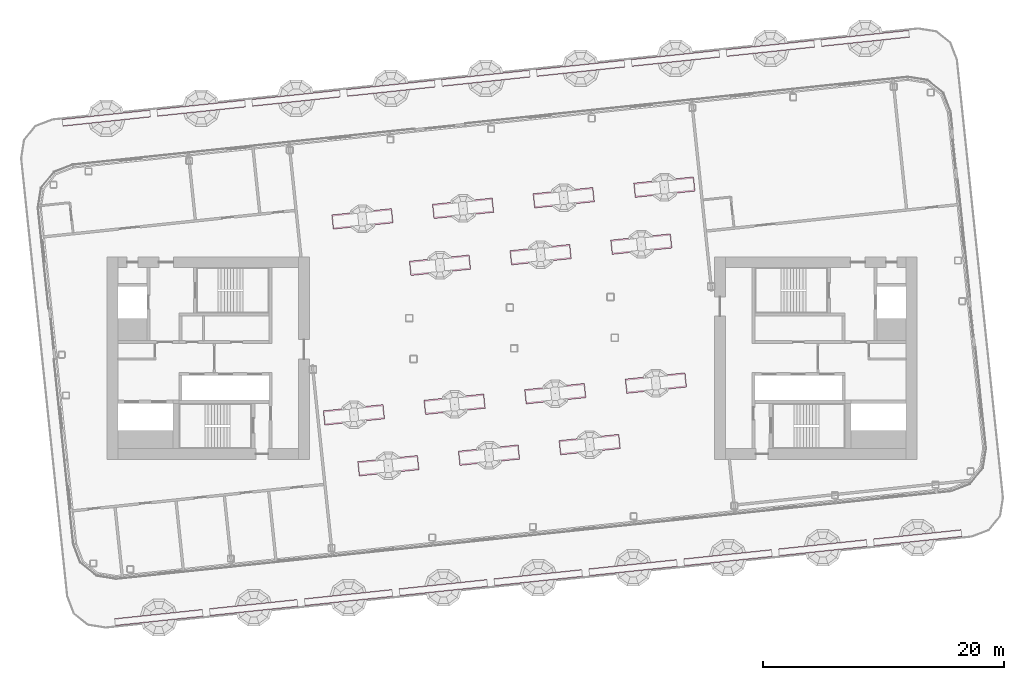
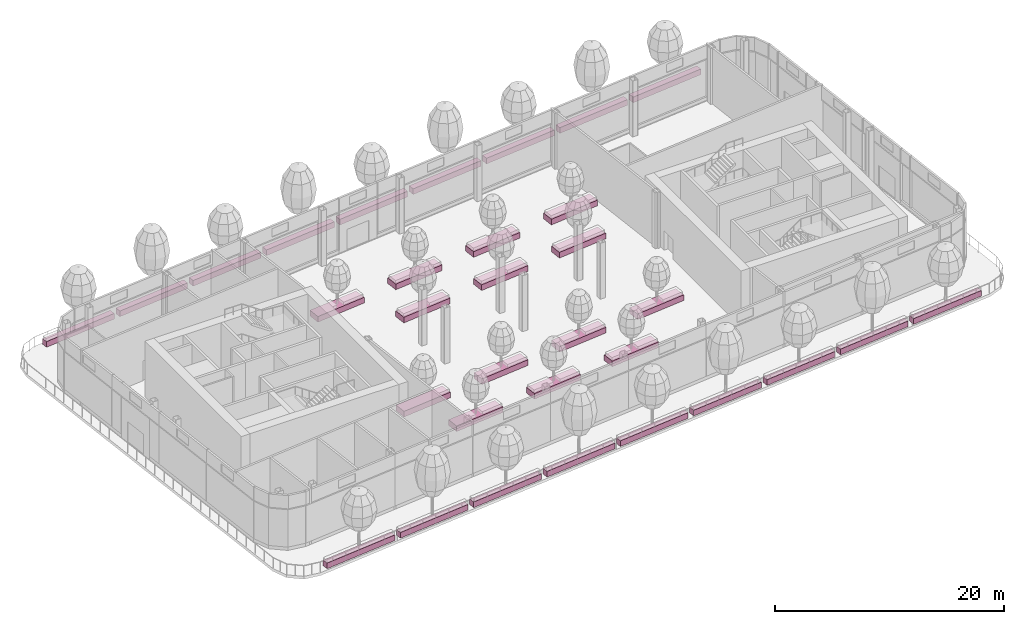
# One storey, part 35 of 42: 32 furniture elements.
"""IFC4 building model written with IfcOpenShell, lengths in metres."""

from ifc_helpers import new_model, si_unit, direction, frame, origin, origin_2d, place, context, subcontext, project, spatial, rectangle, extrude, material, type_object, element, save


model = new_model("IFC4")

# Units and contexts
model_context = context("Model", 3, precision=1e-05, world=origin(), true_north=direction((0.0, 1.0)))
body_context = subcontext(model_context, "Body", "Model", "MODEL_VIEW")
ifc_project = project(units=[si_unit("LENGTHUNIT", "METRE"), si_unit("AREAUNIT", "SQUARE_METRE"), si_unit("VOLUMEUNIT", "CUBIC_METRE"), si_unit("PLANEANGLEUNIT", "RADIAN"), si_unit("MASSUNIT", "GRAM", prefix="KILO")], contexts=[model_context])

# Site, building, storey
site_placement = place(None, origin())
site = spatial("IfcSite", under=ifc_project, at=site_placement, CompositionType="ELEMENT")
building_placement = place(site_placement, origin())
building = spatial("IfcBuilding", under=site, at=building_placement, Name="Hakoniwa Tower and Hamabe Station Hall", CompositionType="ELEMENT")
storey_placement = place(building_placement, frame((0.0, 0.0, 232.60009765625)))
storey = spatial("IfcBuildingStorey", under=building, at=storey_placement, Name="L66", CompositionType="ELEMENT", Elevation=232.60009765625)

# Furniture
ifc_material_1 = material(Name="Aluminium 6063-T5 black anodised trough with lightweight soil", Category="aluminium")
furniture_type_1 = type_object("IfcFurnitureType", Name="Planter 1200x600", AssemblyPlace="SITE", PredefinedType="USERDEFINED", material=ifc_material_1)
for number, where, z_axis, x_axis, name in (
    (1, (-5.9765625, 7.703857421875, -0.000244140625), (0.0, 0.0, 1.0), (0.994521895368, 0.104528463268, 0.0), "Planter 1200x600"),
    (2, (2.377197265625, 8.581787109375, -0.000244140625), (0.0, 0.0, 1.0), (0.994521895368, 0.104528463268, 0.0), "Planter 1200x600"),
    (3, (10.731201171875, 9.4599609375, -0.000244140625), (0.0, 0.0, 1.0), (0.994521895368, 0.104528463268, 0.0), "Planter 1200x600"),
    (4, (-12.414306640625, 11.552001953125, -0.000244140625), (0.0, 0.0, 1.0), (0.994521895368, 0.104528463268, 0.0), "Planter 1200x600"),
    (5, (-4.060302734375, 12.429931640625, -0.000244140625), (0.0, 0.0, 1.0), (0.994521895368, 0.104528463268, 0.0), "Planter 1200x600"),
    (6, (4.293701171875, 13.30810546875, -0.000244140625), (0.0, 0.0, 1.0), (0.994521895368, 0.104528463268, 0.0), "Planter 1200x600"),
    (7, (12.647705078125, 14.18603515625, -0.000244140625), (0.0, 0.0, 1.0), (0.994521895368, 0.104528463268, 0.0), "Planter 1200x600"),
    (8, (-13.1181640625, -4.710693359375, -0.000244140625), (0.0, 0.0, 1.0), (0.994521895368, 0.104528463268, 0.0), "Planter 1200x600"),
    (9, (-4.76416015625, -3.832763671875, -0.000244140625), (0.0, 0.0, 1.0), (0.994521895368, 0.104528463268, 0.0), "Planter 1200x600"),
    (10, (3.58984375, -2.95458984375, -0.000244140625), (0.0, 0.0, 1.0), (0.994521895368, 0.104528463268, 0.0), "Planter 1200x600"),
    (11, (11.94384765625, -2.07666015625, -0.000244140625), (0.0, 0.0, 1.0), (0.994521895368, 0.104528463268, 0.0), "Planter 1200x600"),
    (12, (-10.260986328125, -8.935302734375, -0.000244140625), (0.0, 0.0, 1.0), (0.994521895368, 0.104528463268, 0.0), "Planter 1200x600"),
    (13, (-1.906982421875, -8.05712890625, -0.000244140625), (0.0, 0.0, 1.0), (0.994521895368, 0.104528463268, 0.0), "Planter 1200x600"),
    (14, (6.447021484375, -7.17919921875, -0.000244140625), (0.0, 0.0, 1.0), (0.994521895368, 0.104528463268, 0.0), "Planter 1200x600"),
):
    element("IfcFurniture", number, at=place(storey_placement, frame(where, z_axis=z_axis, x_axis=x_axis)), inside=storey, type_object=furniture_type_1, Name=name, ObjectType="PLANTER", PredefinedType="USERDEFINED", context=body_context, shape_type="SweptSolid", body=[
        extrude(rectangle(XDim=5.0, YDim=1.199951171875, at=origin_2d()), origin(), (0.0, 0.0, 1.0), 0.60009765625),
    ])
ifc_material_2 = material(Name="Aluminium 6063-T5 black anodised trough with lightweight soil", Category="aluminium")
furniture_type_2 = type_object("IfcFurnitureType", Name="Planter 600x600", AssemblyPlace="SITE", PredefinedType="USERDEFINED", material=ifc_material_2)
for number, where, z_axis, x_axis, name in (
    (15, (29.3115234375, 26.536865234375, -0.000244140625), (0.0, 0.0, 1.0), (-0.994521895496, -0.104528462053, 0.0), "Planter 600x600"),
    (16, (21.439208984375, 25.70947265625, -0.000244140625), (0.0, 0.0, 1.0), (-0.994521895496, -0.104528462053, 0.0), "Planter 600x600"),
    (17, (13.566650390625, 24.882080078125, -0.000244140625), (0.0, 0.0, 1.0), (-0.994521895496, -0.104528462053, 0.0), "Planter 600x600"),
    (18, (5.694091796875, 24.0546875, -0.000244140625), (0.0, 0.0, 1.0), (-0.994521895496, -0.104528462053, 0.0), "Planter 600x600"),
    (19, (-2.178466796875, 23.227294921875, -0.000244140625), (0.0, 0.0, 1.0), (-0.994521895496, -0.104528462053, 0.0), "Planter 600x600"),
    (20, (-10.051025390625, 22.399658203125, -0.000244140625), (0.0, 0.0, 1.0), (-0.994521895496, -0.104528462053, 0.0), "Planter 600x600"),
    (21, (-17.923583984375, 21.572265625, -0.000244140625), (0.0, 0.0, 1.0), (-0.994521895496, -0.104528462053, 0.0), "Planter 600x600"),
    (22, (-25.796142578125, 20.744873046875, -0.000244140625), (0.0, 0.0, 1.0), (-0.994521895496, -0.104528462053, 0.0), "Planter 600x600"),
    (23, (-33.668701171875, 19.91748046875, -0.000244140625), (0.0, 0.0, 1.0), (-0.994521895496, -0.104528462053, 0.0), "Planter 600x600"),
    (24, (-29.3115234375, -21.536865234375, -0.000244140625), (0.0, 0.0, 1.0), (0.994521895496, 0.104528462053, 0.0), "Planter 600x600"),
    (25, (-21.439208984375, -20.70947265625, -0.000244140625), (0.0, 0.0, 1.0), (0.994521895496, 0.104528462053, 0.0), "Planter 600x600"),
    (26, (-13.566650390625, -19.882080078125, -0.000244140625), (0.0, 0.0, 1.0), (0.994521895496, 0.104528462053, 0.0), "Planter 600x600"),
    (27, (-5.694091796875, -19.0546875, -0.000244140625), (0.0, 0.0, 1.0), (0.994521895496, 0.104528462053, 0.0), "Planter 600x600"),
    (28, (2.178466796875, -18.227294921875, -0.000244140625), (0.0, 0.0, 1.0), (0.994521895496, 0.104528462053, 0.0), "Planter 600x600"),
    (29, (10.051025390625, -17.399658203125, -0.000244140625), (0.0, 0.0, 1.0), (0.994521895496, 0.104528462053, 0.0), "Planter 600x600"),
    (30, (17.923583984375, -16.572265625, -0.000244140625), (0.0, 0.0, 1.0), (0.994521895496, 0.104528462053, 0.0), "Planter 600x600"),
    (31, (25.796142578125, -15.744873046875, -0.000244140625), (0.0, 0.0, 1.0), (0.994521895496, 0.104528462053, 0.0), "Planter 600x600"),
    (32, (33.668701171875, -14.91748046875, -0.000244140625), (0.0, 0.0, 1.0), (0.994521895496, 0.104528462053, 0.0), "Planter 600x600"),
):
    element("IfcFurniture", number, at=place(storey_placement, frame(where, z_axis=z_axis, x_axis=x_axis)), inside=storey, type_object=furniture_type_2, Name=name, ObjectType="PLANTER", PredefinedType="USERDEFINED", context=body_context, shape_type="SweptSolid", body=[
        extrude(rectangle(XDim=7.31591796875, YDim=0.60009765625, at=origin_2d()), origin(), (0.0, 0.0, 1.0), 0.60009765625),
    ])

save(model, "model.ifc")
